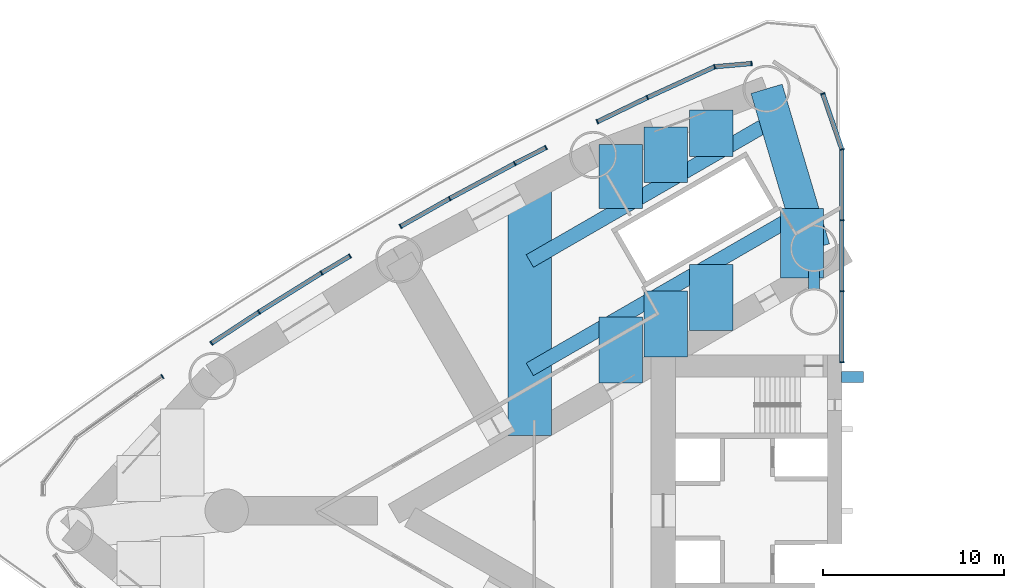
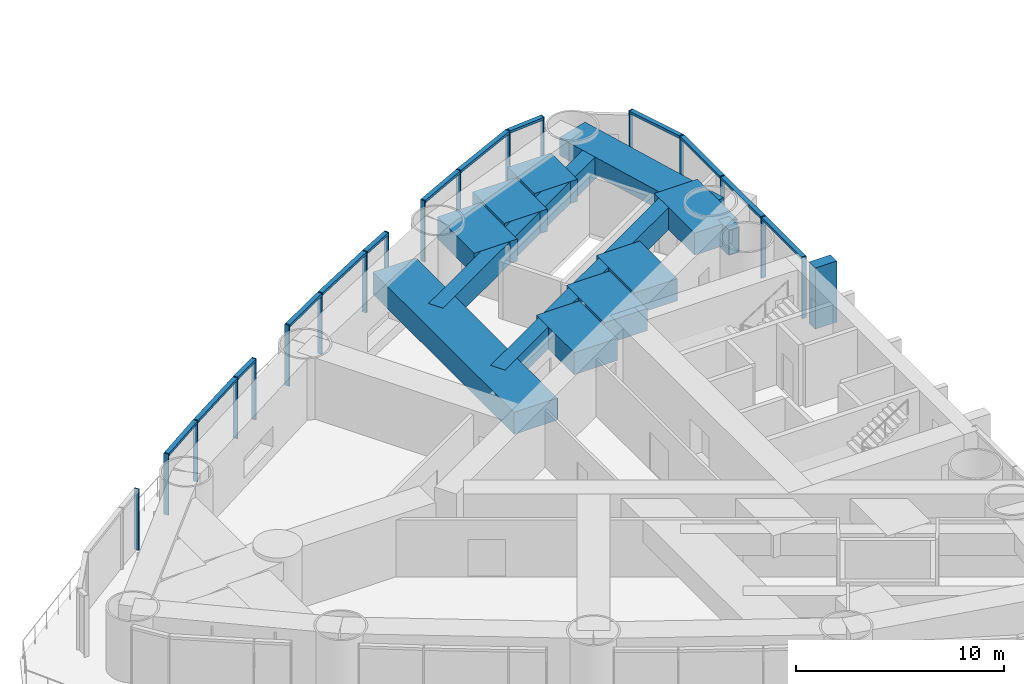
# One storey, part 4 of 19: 32 members, 12 beams, 5 elements without a shape of their own.
"""IFC4 building model written with IfcOpenShell, lengths in metres."""

import ifcopenshell
import ifcopenshell.guid

model = None  # the IFC model being written
_history = None  # IfcOwnerHistory: only IFC2X3 demands one
_inside = {}  # id of a spatial element -> (the spatial element, [elements in it])
_under = {}  # id of a project, library or spatial element -> (it, [spatial elements below it])
_declared = {}  # id of a project -> (the project, [libraries it declares])
_typed = {}  # id of a type object -> (the type object, [elements of that type])
_made_of = {}  # id of a material, layer set ... -> (it, [elements and type objects made of it])


def new_model(schema):
    """Start an empty IFC model of exactly this schema.

    Asked for "IFC4X3", IfcOpenShell would pick the latest addendum, in which some entities
    have other attributes; the version numbers below select the first issue.
    IFC2X3 requires an IfcOwnerHistory on every rooted entity: one is made here for all.
    """
    global model, _history
    if schema == "IFC4X3":
        model = ifcopenshell.file(schema_version=(4, 3, 0, 0))
    else:
        model = ifcopenshell.file(schema=schema)
    _inside.clear()
    _under.clear()
    _declared.clear()
    _typed.clear()
    _made_of.clear()
    _history = None
    if model.schema == "IFC2X3":
        org = make("IfcOrganization", Name="unknown")
        user = make(
            "IfcPersonAndOrganization",
            ThePerson=make("IfcPerson", FamilyName="unknown"),
            TheOrganization=org,
        )
        app = make(
            "IfcApplication",
            ApplicationDeveloper=org,
            Version="unknown",
            ApplicationFullName="unknown",
            ApplicationIdentifier="unknown",
        )
        _history = make(
            "IfcOwnerHistory",
            OwningUser=user,
            OwningApplication=app,
            ChangeAction="ADDED",
            CreationDate=0,
        )
    return model


def make(cls, **values):
    """One entity of the class cls with the attributes given. An attribute that is None is left unset."""
    return model.create_entity(
        cls, **{name: value for name, value in values.items() if value is not None}
    )


def rooted(cls, **values):
    """An entity with a GlobalId (a new one), such as an element, a storey or a relation."""
    return make(cls, GlobalId=ifcopenshell.guid.new(), OwnerHistory=_history, **values)


def si_unit(unit_type, name, prefix=None):
    """IfcSIUnit, for example si_unit("LENGTHUNIT", "METRE", prefix="MILLI")."""
    return make("IfcSIUnit", UnitType=unit_type, Prefix=prefix, Name=name)


def assignment(units):
    """IfcUnitAssignment: the units of a project."""
    return None if units is None else make("IfcUnitAssignment", Units=units)


def point(xyz):
    """IfcCartesianPoint."""
    return None if xyz is None else make("IfcCartesianPoint", Coordinates=xyz)


def direction(xyz):
    """IfcDirection."""
    return None if xyz is None else make("IfcDirection", DirectionRatios=xyz)


def frame(location, z_axis=None, x_axis=None):
    """IfcAxis2Placement3D, a coordinate frame: its origin and axes. An axis left out is left unset."""
    return make(
        "IfcAxis2Placement3D",
        Location=point(location),
        Axis=direction(z_axis),
        RefDirection=direction(x_axis),
    )


def frame_2d(location, x_axis=None):
    """IfcAxis2Placement2D, a coordinate frame in the plane: its origin and x axis."""
    return make(
        "IfcAxis2Placement2D", Location=point(location), RefDirection=direction(x_axis)
    )


def origin():
    """The frame at (0, 0, 0) with its axes left unset."""
    return frame((0.0, 0.0, 0.0))


def origin_2d():
    """The frame at (0, 0) in the plane with its x axis left unset."""
    return frame_2d((0.0, 0.0))


def place(relative_to, where):
    """IfcLocalPlacement: puts the frame where relative to a parent placement (None: the world)."""
    return make(
        "IfcLocalPlacement", PlacementRelTo=relative_to, RelativePlacement=where
    )


def context(
    kind, dimensions, precision=None, world=None, true_north=None, identifier=None
):
    """IfcGeometricRepresentationContext, for example the 3D "Model" context."""
    return make(
        "IfcGeometricRepresentationContext",
        ContextIdentifier=identifier,
        ContextType=kind,
        CoordinateSpaceDimension=dimensions,
        Precision=precision,
        WorldCoordinateSystem=world,
        TrueNorth=true_north,
    )


def subcontext(parent, identifier, kind, view, scale=None):
    """IfcGeometricRepresentationSubContext, for example "Body" below "Model"."""
    return make(
        "IfcGeometricRepresentationSubContext",
        ContextIdentifier=identifier,
        ContextType=kind,
        ParentContext=parent,
        TargetScale=scale,
        TargetView=view,
    )


def project(units=None, contexts=None):
    """IfcProject with its units and contexts."""
    return rooted(
        "IfcProject",
        Name="project",
        RepresentationContexts=contexts,
        UnitsInContext=assignment(units),
    )


def spatial(cls, under=None, at=None, **own):
    """A site, building, storey or space (cls), placed at a placement, below another one or the project."""
    s = rooted(cls, ObjectPlacement=at, **own)
    if under is not None:
        _under.setdefault(under.id(), (under, []))[1].append(s)
    return s


def profile(cls, at=None, kind="AREA", **sizes):
    """A parametric profile (cls). Its sizes go by their IFC names, for example OverallWidth=200.0."""
    return make(cls, ProfileType=kind, Position=at, **sizes)


def rectangle(**sizes):
    """IfcRectangleProfileDef."""
    return profile("IfcRectangleProfileDef", **sizes)


def hollow_rectangle(**sizes):
    """IfcRectangleHollowProfileDef."""
    return profile("IfcRectangleHollowProfileDef", **sizes)


def extrude(swept, where, along, depth):
    """IfcExtrudedAreaSolid: the profile swept, set in the frame where, extruded along a direction by depth."""
    return make(
        "IfcExtrudedAreaSolid",
        SweptArea=swept,
        Position=where,
        ExtrudedDirection=direction(along),
        Depth=depth,
    )


def shape(context_of_items, identifier, shape_type, items):
    """IfcShapeRepresentation: the items that make up one representation, for example the "Body"."""
    return make(
        "IfcShapeRepresentation",
        ContextOfItems=context_of_items,
        RepresentationIdentifier=identifier,
        RepresentationType=shape_type,
        Items=items,
    )


def material(Name=None, Category=None):
    """IfcMaterial."""
    return make("IfcMaterial", Name=Name, Category=Category)


def material_profile(
    of_material, cross_section, Name=None, Category=None, Priority=None
):
    """IfcMaterialProfile: a cross section and its material."""
    return make(
        "IfcMaterialProfile",
        Name=Name,
        Material=of_material,
        Profile=cross_section,
        Priority=Priority,
        Category=Category,
    )


def profile_set(profiles, Name=None, composite=None):
    """IfcMaterialProfileSet."""
    return make(
        "IfcMaterialProfileSet",
        Name=Name,
        MaterialProfiles=profiles,
        CompositeProfile=composite,
    )


def made_of(thing, what):
    """Note that an element or type object is made of a material, layer set ...; save() writes the relation."""
    if what is not None:
        _made_of.setdefault(what.id(), (what, []))[1].append(thing)
    return thing


def type_object(cls, material=None, **own):
    """A type object (cls), such as IfcWallType, which elements share."""
    return made_of(rooted(cls, **own), material)


def element(
    cls,
    number,
    at=None,
    inside=None,
    cuts=None,
    type_object=None,
    material=None,
    context=None,
    identifier="Body",
    shape_type=None,
    held_by="IfcProductDefinitionShape",
    body=None,
    shapes=None,
    **own,
):
    """One element of the class cls, such as IfcWall. Its Tag is "e" and its number.

    at: its placement. inside: the storey or other place that contains it. cuts: it is an
    opening in that element (IfcRelVoidsElement). A single representation is given by context,
    identifier, shape_type and body (its items); several are given by shapes. held_by: the class
    of the entity that holds the representations. save() writes the other relations.
    """
    e = rooted(cls, Tag="e%d" % number, ObjectPlacement=at, **own)
    if body is not None:
        shapes = [shape(context, identifier, shape_type, body)]
    if shapes is not None:
        e.Representation = make(held_by, Representations=shapes)
    if inside is not None:
        _inside.setdefault(inside.id(), (inside, []))[1].append(e)
    if cuts is not None:
        rooted(
            "IfcRelVoidsElement", RelatingBuildingElement=cuts, RelatedOpeningElement=e
        )
    if type_object is not None:
        _typed.setdefault(type_object.id(), (type_object, []))[1].append(e)
    return made_of(e, material)


def aggregate(whole, parts):
    """IfcRelAggregates: a whole, such as a stair, and the parts it consists of."""
    return rooted("IfcRelAggregates", RelatingObject=whole, RelatedObjects=parts)


def save(model, path):
    """Write the relations noted so far, then the file.

    IfcRelAggregates (storeys below a building ...), IfcRelContainedInSpatialStructure (elements
    in a storey), IfcRelDefinesByType, IfcRelAssociatesMaterial and IfcRelDeclares: one each for
    every whole, place, type object, material and project.
    """
    for whole, parts in _under.values():
        aggregate(whole, parts)
    for where, things in _inside.values():
        rooted(
            "IfcRelContainedInSpatialStructure",
            RelatedElements=things,
            RelatingStructure=where,
        )
    for kind, things in _typed.values():
        rooted("IfcRelDefinesByType", RelatedObjects=things, RelatingType=kind)
    for what, things in _made_of.values():
        rooted("IfcRelAssociatesMaterial", RelatedObjects=things, RelatingMaterial=what)
    for by, libraries in _declared.values():
        rooted("IfcRelDeclares", RelatingContext=by, RelatedDefinitions=libraries)
    model.write(path)


model = new_model("IFC4")

# Units and contexts
model_context = context("Model", 3, precision=1e-05, world=origin(), true_north=direction((0.0, 1.0)))
body_context = subcontext(model_context, "Body", "Model", "MODEL_VIEW")
ifc_project = project(units=[si_unit("LENGTHUNIT", "METRE"), si_unit("AREAUNIT", "SQUARE_METRE"), si_unit("VOLUMEUNIT", "CUBIC_METRE"), si_unit("PLANEANGLEUNIT", "RADIAN"), si_unit("MASSUNIT", "GRAM", prefix="KILO")], contexts=[model_context])

# Site, building, storey
site_placement = place(None, origin())
site = spatial("IfcSite", under=ifc_project, at=site_placement, CompositionType="ELEMENT")
building_placement = place(site_placement, origin())
building = spatial("IfcBuilding", under=site, at=building_placement, Name="Lancet Gate Hotel", CompositionType="ELEMENT")
storey_placement = place(building_placement, frame((0.0, 0.0, 87.0)))
storey = spatial("IfcBuildingStorey", under=building, at=storey_placement, Name="L22", CompositionType="ELEMENT", Elevation=87.0)

# Curtain wall, members
ifc_material_1 = material(Name="Aluminium curtain wall", Category="aluminium")
curtain_wall_type = type_object("IfcCurtainWallType", Name="Tower unitised curtain wall", PredefinedType="USERDEFINED", material=ifc_material_1)
curtain_wall_1_placement = place(storey_placement, origin())
curtain_wall_1 = element("IfcCurtainWall", 1, at=curtain_wall_1_placement, inside=storey, type_object=curtain_wall_type, Name="T1 L22 curtain wall 1", ObjectType="UNITISED CURTAIN WALL", PredefinedType="USERDEFINED")
ifc_material_2 = material(Name="Aluminium mullion", Category="aluminium")
ifc_material_profile_1 = material_profile(ifc_material_2, rectangle(XDim=0.06494140625, YDim=0.25, at=origin_2d()), Name="MULLION 65x250")
ifc_profile_set_1 = profile_set([ifc_material_profile_1], Name="Aluminium mullion")
member_type_1 = type_object("IfcMemberType", Name="Aluminium mullion 65x250", PredefinedType="MULLION", material=ifc_profile_set_1)
member_1_placement = place(storey_placement, frame((-27.5, 8.199951171875, 0.0), z_axis=(0.0, 0.0, 1.0), x_axis=(0.0, 1.0, 0.0)))
member_1 = element("IfcMember", 2, at=member_1_placement, type_object=member_type_1, Name="T1 L22 curtain wall 1 mullion 1", PredefinedType="MULLION", context=body_context, shape_type="SweptSolid", body=[
    extrude(rectangle(XDim=0.06494140625, YDim=0.25, at=origin_2d()), origin(), (0.0, 0.0, 1.0), 3.60009765625),
])
member_2_placement = place(storey_placement, frame((-27.5, 12.123779296875, 0.0), z_axis=(0.0, 0.0, 1.0), x_axis=(0.0, 1.0, 0.0)))
member_2 = element("IfcMember", 3, at=member_2_placement, type_object=member_type_1, Name="T1 L22 curtain wall 1 mullion 2", PredefinedType="MULLION", context=body_context, shape_type="SweptSolid", body=[
    extrude(rectangle(XDim=0.06494140625, YDim=0.25, at=origin_2d()), origin(), (0.0, 0.0, 1.0), 3.60009765625),
])
member_3_placement = place(storey_placement, frame((-27.5, 16.04736328125, 0.0), z_axis=(0.0, 0.0, 1.0), x_axis=(0.0, 1.0, 0.0)))
member_3 = element("IfcMember", 4, at=member_3_placement, type_object=member_type_1, Name="T1 L22 curtain wall 1 mullion 3", PredefinedType="MULLION", context=body_context, shape_type="SweptSolid", body=[
    extrude(rectangle(XDim=0.06494140625, YDim=0.25, at=origin_2d()), origin(), (0.0, 0.0, 1.0), 3.60009765625),
])
member_4_placement = place(storey_placement, frame((-27.5, 19.97119140625, 0.0), z_axis=(0.0, 0.0, 1.0), x_axis=(-0.149634446211, 0.988741388082, 0.0)))
member_4 = element("IfcMember", 5, at=member_4_placement, type_object=member_type_1, Name="T1 L22 curtain wall 1 mullion 4", PredefinedType="MULLION", context=body_context, shape_type="SweptSolid", body=[
    extrude(rectangle(XDim=0.06494140625, YDim=0.25, at=origin_2d()), origin(), (0.0, 0.0, 1.0), 3.60009765625),
])
member_5_placement = place(storey_placement, frame((-28.5595703125, 23.049072265625, 0.0), z_axis=(0.0, 0.0, 1.0), x_axis=(-0.325515820766, 0.945536593914, 0.0)))
member_5 = element("IfcMember", 6, at=member_5_placement, type_object=member_type_1, Name="T1 L22 curtain wall 1 mullion 5", PredefinedType="MULLION", context=body_context, shape_type="SweptSolid", body=[
    extrude(rectangle(XDim=0.06494140625, YDim=0.25, at=origin_2d()), origin(), (0.0, 0.0, 1.0), 3.60009765625),
])

curtain_wall_2_placement = place(storey_placement, origin())
curtain_wall_2 = element("IfcCurtainWall", 7, at=curtain_wall_2_placement, inside=storey, type_object=curtain_wall_type, Name="T1 L22 curtain wall 2", ObjectType="UNITISED CURTAIN WALL", PredefinedType="USERDEFINED")
member_6_placement = place(storey_placement, frame((-32.49609375, 24.717041015625, 0.0), z_axis=(0.0, 0.0, 1.0), x_axis=(-0.996218779711, -0.086880049207, 0.0)))
member_6 = element("IfcMember", 8, at=member_6_placement, type_object=member_type_1, Name="T1 L22 curtain wall 2 mullion 1", PredefinedType="MULLION", context=body_context, shape_type="SweptSolid", body=[
    extrude(rectangle(XDim=0.06494140625, YDim=0.25, at=origin_2d()), origin(), (0.0, 0.0, 1.0), 3.60009765625),
])
member_7_placement = place(storey_placement, frame((-34.5322265625, 24.53955078125, 0.0), z_axis=(0.0, 0.0, 1.0), x_axis=(-0.95055358449, -0.310560594751, 0.0)))
member_7 = element("IfcMember", 9, at=member_7_placement, type_object=member_type_1, Name="T1 L22 curtain wall 2 mullion 2", PredefinedType="MULLION", context=body_context, shape_type="SweptSolid", body=[
    extrude(rectangle(XDim=0.06494140625, YDim=0.25, at=origin_2d()), origin(), (0.0, 0.0, 1.0), 3.60009765625),
])
member_8_placement = place(storey_placement, frame((-38.25244140625, 22.83642578125, 0.0), z_axis=(0.0, 0.0, 1.0), x_axis=(-0.905375271787, -0.424612314043, 0.0)))
member_8 = element("IfcMember", 10, at=member_8_placement, type_object=member_type_1, Name="T1 L22 curtain wall 2 mullion 3", PredefinedType="MULLION", context=body_context, shape_type="SweptSolid", body=[
    extrude(rectangle(XDim=0.06494140625, YDim=0.25, at=origin_2d()), origin(), (0.0, 0.0, 1.0), 3.60009765625),
])
member_9_placement = place(storey_placement, frame((-41.0126953125, 21.500244140625, 0.0), z_axis=(0.0, 0.0, 1.0), x_axis=(-0.900081672047, -0.435721222395, 0.0)))
member_9 = element("IfcMember", 11, at=member_9_placement, type_object=member_type_1, Name="T1 L22 curtain wall 2 mullion 4", PredefinedType="MULLION", context=body_context, shape_type="SweptSolid", body=[
    extrude(rectangle(XDim=0.06494140625, YDim=0.25, at=origin_2d()), origin(), (0.0, 0.0, 1.0), 3.60009765625),
])

curtain_wall_3_placement = place(storey_placement, origin())
curtain_wall_3 = element("IfcCurtainWall", 12, at=curtain_wall_3_placement, inside=storey, type_object=curtain_wall_type, Name="T1 L22 curtain wall 3", ObjectType="UNITISED CURTAIN WALL", PredefinedType="USERDEFINED")
member_10_placement = place(storey_placement, frame((-43.85498046875, 20.07275390625, 0.0), z_axis=(0.0, 0.0, 1.0), x_axis=(-0.890493479451, -0.45499600334, 0.0)))
member_10 = element("IfcMember", 13, at=member_10_placement, type_object=member_type_1, Name="T1 L22 curtain wall 3 mullion 1", PredefinedType="MULLION", context=body_context, shape_type="SweptSolid", body=[
    extrude(rectangle(XDim=0.06494140625, YDim=0.25, at=origin_2d()), origin(), (0.0, 0.0, 1.0), 3.60009765625),
])
member_11_placement = place(storey_placement, frame((-45.578857421875, 19.19189453125, 0.0), z_axis=(0.0, 0.0, 1.0), x_axis=(-0.883749426357, -0.467960416503, 0.0)))
member_11 = element("IfcMember", 14, at=member_11_placement, type_object=member_type_1, Name="T1 L22 curtain wall 3 mullion 2", PredefinedType="MULLION", context=body_context, shape_type="SweptSolid", body=[
    extrude(rectangle(XDim=0.06494140625, YDim=0.25, at=origin_2d()), origin(), (0.0, 0.0, 1.0), 3.60009765625),
])
member_12_placement = place(storey_placement, frame((-49.181640625, 17.252197265625, 0.0), z_axis=(0.0, 0.0, 1.0), x_axis=(-0.876045123925, -0.482229137286, 0.0)))
member_12 = element("IfcMember", 15, at=member_12_placement, type_object=member_type_1, Name="T1 L22 curtain wall 3 mullion 3", PredefinedType="MULLION", context=body_context, shape_type="SweptSolid", body=[
    extrude(rectangle(XDim=0.06494140625, YDim=0.25, at=origin_2d()), origin(), (0.0, 0.0, 1.0), 3.60009765625),
])
member_13_placement = place(storey_placement, frame((-51.889892578125, 15.718017578125, 0.0), z_axis=(0.0, 0.0, 1.0), x_axis=(-0.870083629903, -0.49290412554, 0.0)))
member_13 = element("IfcMember", 16, at=member_13_placement, type_object=member_type_1, Name="T1 L22 curtain wall 3 mullion 4", PredefinedType="MULLION", context=body_context, shape_type="SweptSolid", body=[
    extrude(rectangle(XDim=0.06494140625, YDim=0.25, at=origin_2d()), origin(), (0.0, 0.0, 1.0), 3.60009765625),
])

curtain_wall_4_placement = place(storey_placement, origin())
curtain_wall_4 = element("IfcCurtainWall", 17, at=curtain_wall_4_placement, inside=storey, type_object=curtain_wall_type, Name="T1 L22 curtain wall 4", ObjectType="UNITISED CURTAIN WALL", PredefinedType="USERDEFINED")
member_14_placement = place(storey_placement, frame((-54.689697265625, 14.07568359375, 0.0), z_axis=(0.0, 0.0, 1.0), x_axis=(-0.859271431916, -0.511519898238, 0.0)))
member_14 = element("IfcMember", 18, at=member_14_placement, type_object=member_type_1, Name="T1 L22 curtain wall 4 mullion 1", PredefinedType="MULLION", context=body_context, shape_type="SweptSolid", body=[
    extrude(rectangle(XDim=0.06494140625, YDim=0.25, at=origin_2d()), origin(), (0.0, 0.0, 1.0), 3.60009765625),
])
member_15_placement = place(storey_placement, frame((-56.257568359375, 13.142333984375, 0.0), z_axis=(0.0, 0.0, 1.0), x_axis=(-0.851560377168, -0.524256544105, 0.0)))
member_15 = element("IfcMember", 19, at=member_15_placement, type_object=member_type_1, Name="T1 L22 curtain wall 4 mullion 2", PredefinedType="MULLION", context=body_context, shape_type="SweptSolid", body=[
    extrude(rectangle(XDim=0.06494140625, YDim=0.25, at=origin_2d()), origin(), (0.0, 0.0, 1.0), 3.60009765625),
])
member_16_placement = place(storey_placement, frame((-59.7275390625, 10.974365234375, 0.0), z_axis=(0.0, 0.0, 1.0), x_axis=(-0.843078141929, -0.537791080813, 0.0)))
member_16 = element("IfcMember", 20, at=member_16_placement, type_object=member_type_1, Name="T1 L22 curtain wall 4 mullion 3", PredefinedType="MULLION", context=body_context, shape_type="SweptSolid", body=[
    extrude(rectangle(XDim=0.06494140625, YDim=0.25, at=origin_2d()), origin(), (0.0, 0.0, 1.0), 3.60009765625),
])
member_17_placement = place(storey_placement, frame((-62.34716796875, 9.2578125, 0.0), z_axis=(0.0, 0.0, 1.0), x_axis=(-0.836457541791, -0.54803173337, 0.0)))
member_17 = element("IfcMember", 21, at=member_17_placement, type_object=member_type_1, Name="T1 L22 curtain wall 4 mullion 4", PredefinedType="MULLION", context=body_context, shape_type="SweptSolid", body=[
    extrude(rectangle(XDim=0.06494140625, YDim=0.25, at=origin_2d()), origin(), (0.0, 0.0, 1.0), 3.60009765625),
])

# Curtain wall, member
curtain_wall_5_placement = place(storey_placement, origin())
curtain_wall_5 = element("IfcCurtainWall", 22, at=curtain_wall_5_placement, inside=storey, type_object=curtain_wall_type, Name="T1 L22 curtain wall 5", ObjectType="UNITISED CURTAIN WALL", PredefinedType="USERDEFINED")
member_18_placement = place(storey_placement, frame((-65.059814453125, 7.421142578125, 0.0), z_axis=(0.0, 0.0, 1.0), x_axis=(-0.824466422775, -0.565910874357, 0.0)))
member_18 = element("IfcMember", 23, at=member_18_placement, type_object=member_type_1, Name="T1 L22 curtain wall 5 mullion 1", PredefinedType="MULLION", context=body_context, shape_type="SweptSolid", body=[
    extrude(rectangle(XDim=0.06494140625, YDim=0.25, at=origin_2d()), origin(), (0.0, 0.0, 1.0), 3.60009765625),
])
aggregate(curtain_wall_5, [member_18])

# Member
ifc_material_3 = material(Name="Aluminium transom", Category="aluminium")
ifc_material_profile_2 = material_profile(ifc_material_3, rectangle(XDim=0.25, YDim=0.14990234375, at=origin_2d()), Name="TRANSOM 250x150")
ifc_profile_set_2 = profile_set([ifc_material_profile_2], Name="Aluminium transom")
member_type_2 = type_object("IfcMemberType", Name="Aluminium transom 250x150", PredefinedType="USERDEFINED", material=ifc_profile_set_2)
member_19_placement = place(storey_placement, frame((-27.5, 8.232421875, 3.52490234375), z_axis=(0.0, 1.0, 0.0), x_axis=(-1.0, 0.0, 0.0)))
member_19 = element("IfcMember", 24, at=member_19_placement, type_object=member_type_2, Name="T1 L22 curtain wall 1 transom 1", ObjectType="TRANSOM", PredefinedType="USERDEFINED", context=body_context, shape_type="SweptSolid", body=[
    extrude(rectangle(XDim=0.25, YDim=0.14990234375, at=origin_2d()), origin(), (0.0, 0.0, 1.0), 3.85888671875),
])

member_20_placement = place(storey_placement, frame((-27.5, 12.15625, 3.52490234375), z_axis=(0.0, 1.0, 0.0), x_axis=(-1.0, 0.0, 0.0)))
member_20 = element("IfcMember", 25, at=member_20_placement, type_object=member_type_2, Name="T1 L22 curtain wall 1 transom 2", ObjectType="TRANSOM", PredefinedType="USERDEFINED", context=body_context, shape_type="SweptSolid", body=[
    extrude(rectangle(XDim=0.25, YDim=0.14990234375, at=origin_2d()), origin(), (0.0, 0.0, 1.0), 3.858642578125),
])

member_21_placement = place(storey_placement, frame((-27.5, 16.079833984375, 3.52490234375), z_axis=(0.0, 1.0, 0.0), x_axis=(-1.0, 0.0, 0.0)))
member_21 = element("IfcMember", 26, at=member_21_placement, type_object=member_type_2, Name="T1 L22 curtain wall 1 transom 3", ObjectType="TRANSOM", PredefinedType="USERDEFINED", context=body_context, shape_type="SweptSolid", body=[
    extrude(rectangle(XDim=0.25, YDim=0.14990234375, at=origin_2d()), origin(), (0.0, 0.0, 1.0), 3.858642578125),
])

member_22_placement = place(storey_placement, frame((-27.510498046875, 20.001708984375, 3.52490234375), z_axis=(-0.32553312754, 0.945530635609, 0.0), x_axis=(-0.945530635609, -0.32553312754, 0.0)))
member_22 = element("IfcMember", 27, at=member_22_placement, type_object=member_type_2, Name="T1 L22 curtain wall 1 transom 4", ObjectType="TRANSOM", PredefinedType="USERDEFINED", context=body_context, shape_type="SweptSolid", body=[
    extrude(rectangle(XDim=0.25, YDim=0.14990234375, at=origin_2d()), origin(), (0.0, 0.0, 1.0), 3.1904296875),
])

aggregate(curtain_wall_1, [member_1, member_2, member_3, member_4, member_5, member_19, member_20, member_21, member_22])

member_23_placement = place(storey_placement, frame((-32.528564453125, 24.714111328125, 3.52490234375), z_axis=(-0.996220189195, -0.086863885706, 0.0), x_axis=(0.086863885706, -0.996220189195, 0.0)))
member_23 = element("IfcMember", 28, at=member_23_placement, type_object=member_type_2, Name="T1 L22 curtain wall 2 transom 1", ObjectType="TRANSOM", PredefinedType="USERDEFINED", context=body_context, shape_type="SweptSolid", body=[
    extrude(rectangle(XDim=0.25, YDim=0.14990234375, at=origin_2d()), origin(), (0.0, 0.0, 1.0), 1.978759765625),
])

member_24_placement = place(storey_placement, frame((-34.561767578125, 24.52587890625, 3.52490234375), z_axis=(-0.909252284196, -0.416245460857, 0.0), x_axis=(0.416245460857, -0.909252284196, 0.0)))
member_24 = element("IfcMember", 29, at=member_24_placement, type_object=member_type_2, Name="T1 L22 curtain wall 2 transom 2", ObjectType="TRANSOM", PredefinedType="USERDEFINED", context=body_context, shape_type="SweptSolid", body=[
    extrude(rectangle(XDim=0.25, YDim=0.14990234375, at=origin_2d()), origin(), (0.0, 0.0, 1.0), 4.026611328125),
])

member_25_placement = place(storey_placement, frame((-38.28173828125, 22.822265625, 3.52490234375), z_axis=(-0.900080025118, -0.435724624486, 0.0), x_axis=(0.435724624486, -0.900080025118, 0.0)))
member_25 = element("IfcMember", 30, at=member_25_placement, type_object=member_type_2, Name="T1 L22 curtain wall 2 transom 3", ObjectType="TRANSOM", PredefinedType="USERDEFINED", context=body_context, shape_type="SweptSolid", body=[
    extrude(rectangle(XDim=0.25, YDim=0.14990234375, at=origin_2d()), origin(), (0.0, 0.0, 1.0), 3.00146484375),
])

aggregate(curtain_wall_2, [member_6, member_7, member_8, member_9, member_23, member_24, member_25])

member_26_placement = place(storey_placement, frame((-43.8837890625, 20.057861328125, 3.52490234375), z_axis=(-0.890505171978, -0.454973118635, 0.0), x_axis=(0.454973118635, -0.890505171978, 0.0)))
member_26 = element("IfcMember", 31, at=member_26_placement, type_object=member_type_2, Name="T1 L22 curtain wall 3 transom 1", ObjectType="TRANSOM", PredefinedType="USERDEFINED", context=body_context, shape_type="SweptSolid", body=[
    extrude(rectangle(XDim=0.25, YDim=0.14990234375, at=origin_2d()), origin(), (0.0, 0.0, 1.0), 1.87109375),
])

member_27_placement = place(storey_placement, frame((-45.607421875, 19.176513671875, 3.52490234375), z_axis=(-0.880498353192, -0.474049206335, 0.0), x_axis=(0.474049206335, -0.880498353192, 0.0)))
member_27 = element("IfcMember", 32, at=member_27_placement, type_object=member_type_2, Name="T1 L22 curtain wall 3 transom 2", ObjectType="TRANSOM", PredefinedType="USERDEFINED", context=body_context, shape_type="SweptSolid", body=[
    extrude(rectangle(XDim=0.25, YDim=0.14990234375, at=origin_2d()), origin(), (0.0, 0.0, 1.0), 4.02685546875),
])

member_28_placement = place(storey_placement, frame((-49.2099609375, 17.236083984375, 3.52490234375), z_axis=(-0.870076014124, -0.492917568815, 0.0), x_axis=(0.492917568815, -0.870076014124, 0.0)))
member_28 = element("IfcMember", 33, at=member_28_placement, type_object=member_type_2, Name="T1 L22 curtain wall 3 transom 3", ObjectType="TRANSOM", PredefinedType="USERDEFINED", context=body_context, shape_type="SweptSolid", body=[
    extrude(rectangle(XDim=0.25, YDim=0.14990234375, at=origin_2d()), origin(), (0.0, 0.0, 1.0), 3.047607421875),
])

aggregate(curtain_wall_3, [member_10, member_11, member_12, member_13, member_26, member_27, member_28])

member_29_placement = place(storey_placement, frame((-54.717529296875, 14.05908203125, 3.52490234375), z_axis=(-0.859311760125, -0.511452147234, 0.0), x_axis=(0.511452147234, -0.859311760125, 0.0)))
member_29 = element("IfcMember", 34, at=member_29_placement, type_object=member_type_2, Name="T1 L22 curtain wall 4 transom 1", ObjectType="TRANSOM", PredefinedType="USERDEFINED", context=body_context, shape_type="SweptSolid", body=[
    extrude(rectangle(XDim=0.25, YDim=0.14990234375, at=origin_2d()), origin(), (0.0, 0.0, 1.0), 1.759521484375),
])

member_30_placement = place(storey_placement, frame((-56.28515625, 13.125244140625, 3.52490234375), z_axis=(-0.848049393821, -0.529917187531, 0.0), x_axis=(0.529917187531, -0.848049393821, 0.0)))
member_30 = element("IfcMember", 35, at=member_30_placement, type_object=member_type_2, Name="T1 L22 curtain wall 4 transom 2", ObjectType="TRANSOM", PredefinedType="USERDEFINED", context=body_context, shape_type="SweptSolid", body=[
    extrude(rectangle(XDim=0.25, YDim=0.14990234375, at=origin_2d()), origin(), (0.0, 0.0, 1.0), 4.026611328125),
])

member_31_placement = place(storey_placement, frame((-59.754638671875, 10.95654296875, 3.52490234375), z_axis=(-0.836420860696, -0.548087715418, 0.0), x_axis=(0.548087715418, -0.836420860696, 0.0)))
member_31 = element("IfcMember", 36, at=member_31_placement, type_object=member_type_2, Name="T1 L22 curtain wall 4 transom 3", ObjectType="TRANSOM", PredefinedType="USERDEFINED", context=body_context, shape_type="SweptSolid", body=[
    extrude(rectangle(XDim=0.25, YDim=0.14990234375, at=origin_2d()), origin(), (0.0, 0.0, 1.0), 3.06689453125),
])

aggregate(curtain_wall_4, [member_14, member_15, member_16, member_17, member_29, member_30, member_31])

# Beam
ifc_material_4 = material(Name="Concrete C50/60", Category="concrete")
ifc_material_profile_3 = material_profile(ifc_material_4, rectangle(XDim=1.800048828125, YDim=1.050048828125, at=origin_2d()), Name="RC 1800x1050")
ifc_profile_set_3 = profile_set([ifc_material_profile_3], Name="Concrete C50/60")
beam_type_1 = type_object("IfcBeamType", Name="Edge beam RC 1800x1050", PredefinedType="SPANDREL", material=ifc_profile_set_3)
beam_1_placement = place(storey_placement, frame((-31.66455078125, 23.318359375, 2.824951171875), z_axis=(0.284253711522, -0.958749095168, 0.0), x_axis=(0.958749095168, 0.284253711522, 0.0)))
element("IfcBeam", 37, at=beam_1_placement, inside=storey, type_object=beam_type_1, Name="T1 edge beam EB1 L22", PredefinedType="SPANDREL", context=body_context, shape_type="SweptSolid", body=[
    extrude(rectangle(XDim=1.800048828125, YDim=1.050048828125, at=origin_2d()), origin(), (0.0, 0.0, 1.0), 9.19775390625),
])

# Member
ifc_material_5 = material(Name="Concrete C60/75", Category="concrete")
ifc_material_profile_4 = material_profile(ifc_material_5, rectangle(XDim=0.60009765625, YDim=1.199951171875, at=origin_2d()), Name="FIN 600x1200")
ifc_profile_set_4 = profile_set([ifc_material_profile_4], Name="Concrete C60/75")
member_type_3 = type_object("IfcMemberType", Name="Exposed concrete buttress pilaster 600x1200", PredefinedType="USERDEFINED", material=ifc_profile_set_4)
member_32_placement = place(storey_placement, frame((-26.909912109375, 7.39990234375, 0.0), z_axis=(0.0, 0.0, 1.0), x_axis=(0.0, 1.0, 0.0)))
element("IfcMember", 38, at=member_32_placement, inside=storey, type_object=member_type_3, Name="T1 buttress pilaster S L22", ObjectType="FIN", PredefinedType="USERDEFINED", context=body_context, shape_type="SweptSolid", body=[
    extrude(rectangle(XDim=0.60009765625, YDim=1.199951171875, at=origin_2d()), origin(), (0.0, 0.0, 1.0), 3.60009765625),
])

# Beams
ifc_material_6 = material(Name="Concrete C50/60", Category="concrete")
ifc_material_profile_5 = material_profile(ifc_material_6, rectangle(XDim=2.39990234375, YDim=1.300048828125, at=origin_2d()), Name="RC 2400x1300")
ifc_profile_set_5 = profile_set([ifc_material_profile_5], Name="Concrete C50/60")
beam_type_2 = type_object("IfcBeamType", Name="Floor beam RC 2400x1300", PredefinedType="BEAM", material=ifc_profile_set_5)
beam_2_placement = place(storey_placement, frame((-29.706787109375, 16.71533203125, 2.699951171875), z_axis=(0.0, -1.0, 0.0), x_axis=(1.0, 0.0, 0.0)))
element("IfcBeam", 39, at=beam_2_placement, inside=storey, type_object=beam_type_2, Name="T1 floor beam F02S L22", PredefinedType="BEAM", context=body_context, shape_type="SweptSolid", body=[
    extrude(rectangle(XDim=2.39990234375, YDim=1.300048828125, at=origin_2d()), origin(), (0.0, 0.0, 1.0), 3.86279296875),
])
beam_3_placement = place(storey_placement, frame((-44.747802734375, 17.77978515625, 2.699951171875), z_axis=(0.0, -1.0, 0.0), x_axis=(1.0, 0.0, 0.0)))
element("IfcBeam", 40, at=beam_3_placement, inside=storey, type_object=beam_type_2, Name="T1 floor beam F09S L22", PredefinedType="BEAM", context=body_context, shape_type="SweptSolid", body=[
    extrude(rectangle(XDim=2.39990234375, YDim=1.300048828125, at=origin_2d()), origin(), (0.0, 0.0, 1.0), 13.611083984375),
])
beam_4_placement = place(storey_placement, frame((-34.720458984375, 22.1533203125, 2.699951171875), z_axis=(0.0, -1.0, 0.0), x_axis=(1.0, 0.0, 0.0)))
element("IfcBeam", 41, at=beam_4_placement, inside=storey, type_object=beam_type_2, Name="T1 floor beam F04SA L22", PredefinedType="BEAM", context=body_context, shape_type="SweptSolid", body=[
    extrude(rectangle(XDim=2.39990234375, YDim=1.300048828125, at=origin_2d()), origin(), (0.0, 0.0, 1.0), 2.561767578125),
])
beam_5_placement = place(storey_placement, frame((-34.720458984375, 13.603759765625, 2.699951171875), z_axis=(0.0, -1.0, 0.0), x_axis=(1.0, 0.0, 0.0)))
element("IfcBeam", 42, at=beam_5_placement, inside=storey, type_object=beam_type_2, Name="T1 floor beam F04SB L22", PredefinedType="BEAM", context=body_context, shape_type="SweptSolid", body=[
    extrude(rectangle(XDim=2.39990234375, YDim=1.300048828125, at=origin_2d()), origin(), (0.0, 0.0, 1.0), 3.645751953125),
])
beam_6_placement = place(storey_placement, frame((-37.227294921875, 21.197509765625, 2.699951171875), z_axis=(0.0, -1.0, 0.0), x_axis=(1.0, 0.0, 0.0)))
element("IfcBeam", 43, at=beam_6_placement, inside=storey, type_object=beam_type_2, Name="T1 floor beam F05SA L22", PredefinedType="BEAM", context=body_context, shape_type="SweptSolid", body=[
    extrude(rectangle(XDim=2.39990234375, YDim=1.300048828125, at=origin_2d()), origin(), (0.0, 0.0, 1.0), 3.053466796875),
])
beam_7_placement = place(storey_placement, frame((-37.227294921875, 12.15625, 2.699951171875), z_axis=(0.0, -1.0, 0.0), x_axis=(1.0, 0.0, 0.0)))
element("IfcBeam", 44, at=beam_7_placement, inside=storey, type_object=beam_type_2, Name="T1 floor beam F05SB L22", PredefinedType="BEAM", context=body_context, shape_type="SweptSolid", body=[
    extrude(rectangle(XDim=2.39990234375, YDim=1.300048828125, at=origin_2d()), origin(), (0.0, 0.0, 1.0), 3.6455078125),
])
beam_8_placement = place(storey_placement, frame((-39.734130859375, 20.24169921875, 2.699951171875), z_axis=(0.0, -1.0, 0.0), x_axis=(1.0, 0.0, 0.0)))
element("IfcBeam", 45, at=beam_8_placement, inside=storey, type_object=beam_type_2, Name="T1 floor beam F07SA L22", PredefinedType="BEAM", context=body_context, shape_type="SweptSolid", body=[
    extrude(rectangle(XDim=2.39990234375, YDim=1.300048828125, at=origin_2d()), origin(), (0.0, 0.0, 1.0), 3.545166015625),
])
beam_9_placement = place(storey_placement, frame((-39.734130859375, 10.708740234375, 2.699951171875), z_axis=(0.0, -1.0, 0.0), x_axis=(1.0, 0.0, 0.0)))
element("IfcBeam", 46, at=beam_9_placement, inside=storey, type_object=beam_type_2, Name="T1 floor beam F07SB L22", PredefinedType="BEAM", context=body_context, shape_type="SweptSolid", body=[
    extrude(rectangle(XDim=2.39990234375, YDim=1.300048828125, at=origin_2d()), origin(), (0.0, 0.0, 1.0), 3.645263671875),
])
ifc_material_7 = material(Name="Steel S460QL", Category="steel")
ifc_material_profile_6 = material_profile(ifc_material_7, hollow_rectangle(XDim=0.60009765625, YDim=1.5, WallThickness=0.050048828125, at=origin_2d()), Name="BOX 1500x600x50")
ifc_profile_set_6 = profile_set([ifc_material_profile_6], Name="Steel S460QL")
beam_type_3 = type_object("IfcBeamType", Name="Inner-face link beam BOX 1500x600x50", PredefinedType="BEAM", material=ifc_profile_set_6)
beam_10_placement = place(storey_placement, frame((-29.050048828125, 13.25, 2.60009765625), z_axis=(0.0, -1.0, 0.0), x_axis=(1.0, 0.0, 0.0)))
element("IfcBeam", 47, at=beam_10_placement, inside=storey, type_object=beam_type_3, Name="T1 inner-face link beam LK1 L22", PredefinedType="BEAM", context=body_context, shape_type="SweptSolid", body=[
    extrude(hollow_rectangle(XDim=0.60009765625, YDim=1.5, WallThickness=0.050048828125, at=origin_2d()), origin(), (0.0, 0.0, 1.0), 1.0),
])
ifc_material_8 = material(Name="Steel S460QL", Category="steel")
ifc_material_profile_7 = material_profile(ifc_material_8, hollow_rectangle(XDim=0.800048828125, YDim=1.300048828125, WallThickness=0.080078125, at=origin_2d()), Name="BOX 1300x800x80")
ifc_profile_set_7 = profile_set([ifc_material_profile_7], Name="Steel S460QL")
beam_type_4 = type_object("IfcBeamType", Name="Trimmer beam BOX 1300x800x80", PredefinedType="BEAM", material=ifc_profile_set_7)
beam_11_placement = place(storey_placement, frame((-29.706787109375, 16.49853515625, 2.699951171875), z_axis=(-0.866003462672, -0.500038001195, 0.0), x_axis=(0.500038001195, -0.866003462672, 0.0)))
element("IfcBeam", 48, at=beam_11_placement, inside=storey, type_object=beam_type_4, Name="T1 trimmer beam TR02S L22", PredefinedType="BEAM", context=body_context, shape_type="SweptSolid", body=[
    extrude(hollow_rectangle(XDim=0.800048828125, YDim=1.300048828125, WallThickness=0.080078125, at=origin_2d()), origin(), (0.0, 0.0, 1.0), 17.368408203125),
])
beam_12_placement = place(storey_placement, frame((-31.16796875, 21.642822265625, 2.699951171875), z_axis=(-0.866004868127, -0.500035567115, 0.0), x_axis=(0.500035567115, -0.866004868127, 0.0)))
element("IfcBeam", 49, at=beam_12_placement, inside=storey, type_object=beam_type_4, Name="T1 trimmer beam TR04S L22", PredefinedType="BEAM", context=body_context, shape_type="SweptSolid", body=[
    extrude(hollow_rectangle(XDim=0.800048828125, YDim=1.300048828125, WallThickness=0.080078125, at=origin_2d()), origin(), (0.0, 0.0, 1.0), 15.680908203125),
])

save(model, "model.ifc")
